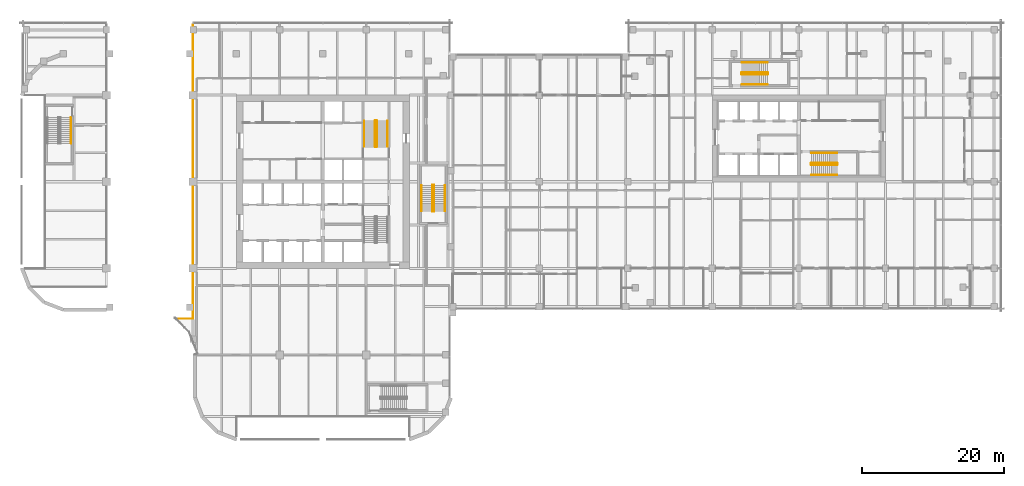
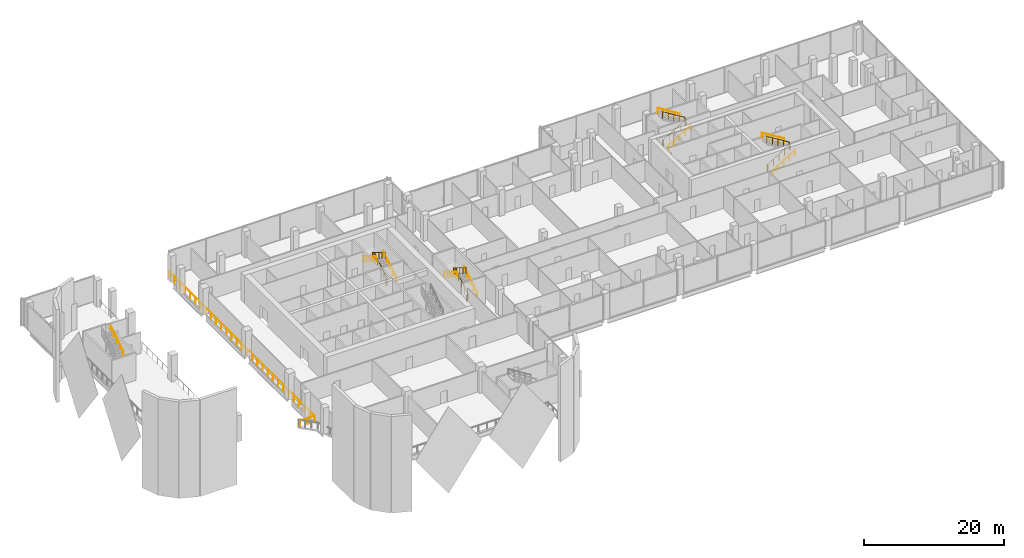
# One storey, part 33 of 33: 14 railings.
"""IFC4 building model written with IfcOpenShell, lengths in metres."""

from ifc_helpers import new_model, si_unit, direction, frame, origin, origin_2d, place, context, subcontext, project, spatial, circle, extrude, material, type_object, element, save


model = new_model("IFC4")

# Units and contexts
model_context = context("Model", 3, precision=1e-05, world=origin(), true_north=direction((0.0, 1.0)))
body_context = subcontext(model_context, "Body", "Model", "MODEL_VIEW")
ifc_project = project(units=[si_unit("LENGTHUNIT", "METRE"), si_unit("AREAUNIT", "SQUARE_METRE"), si_unit("VOLUMEUNIT", "CUBIC_METRE"), si_unit("PLANEANGLEUNIT", "RADIAN"), si_unit("MASSUNIT", "GRAM", prefix="KILO")], contexts=[model_context])

# Site, building, storey
site_placement = place(None, origin())
site = spatial("IfcSite", under=ifc_project, at=site_placement, CompositionType="ELEMENT")
building_placement = place(site_placement, origin())
building = spatial("IfcBuilding", under=site, at=building_placement, Name="Tessera Gate Towers", CompositionType="ELEMENT")
storey_placement = place(building_placement, frame((0.0, 0.0, 7.199951171875)))
storey = spatial("IfcBuildingStorey", under=building, at=storey_placement, Name="L01", CompositionType="ELEMENT", Elevation=7.199951171875)

# Railings
ifc_material_1 = material(Name="Toughened glass with stainless steel handrail", Category="steel")
railing_type_1 = type_object("IfcRailingType", Name="GUARD 1100 GLASS BALUSTRADE", PredefinedType="GUARDRAIL", material=ifc_material_1)
railing_1_placement = place(storey_placement, frame((22.037841796875, 17.300048828125, 0.0)))
element("IfcRailing", 1, at=railing_1_placement, inside=storey, type_object=railing_type_1, Name="Guard", PredefinedType="GUARDRAIL", context=body_context, shape_type="SweptSolid", body=[
    extrude(circle(Radius=0.02490234375, at=origin_2d()), frame((0.0, 0.0, 1.0751953125), z_axis=(1.0, 0.0, 0.0), x_axis=(0.0, 1.0, 0.0)), (0.0, 0.0, 1.0), 2.362060546875),
    extrude(circle(Radius=0.02490234375, at=origin_2d()), frame((2.362060546875, 0.0, 1.0751953125), z_axis=(0.0, 1.0, 0.0), x_axis=(-1.0, 0.0, 0.0)), (0.0, 0.0, 1.0), 41.39990234375),
    extrude(circle(Radius=0.02490234375, at=origin_2d()), origin(), (0.0, 0.0, 1.0), 1.050048828125),
    extrude(circle(Radius=0.02490234375, at=origin_2d()), frame((1.18115234375, 0.0, 0.0)), (0.0, 0.0, 1.0), 1.050048828125),
    extrude(circle(Radius=0.02490234375, at=origin_2d()), frame((2.362060546875, 0.0, 0.0)), (0.0, 0.0, 1.0), 1.050048828125),
    extrude(circle(Radius=0.02490234375, at=origin_2d()), frame((2.362060546875, 1.478515625, 0.0)), (0.0, 0.0, 1.0), 1.050048828125),
    extrude(circle(Radius=0.02490234375, at=origin_2d()), frame((2.362060546875, 2.95703125, 0.0)), (0.0, 0.0, 1.0), 1.050048828125),
    extrude(circle(Radius=0.02490234375, at=origin_2d()), frame((2.362060546875, 4.435791015625, 0.0)), (0.0, 0.0, 1.0), 1.050048828125),
    extrude(circle(Radius=0.02490234375, at=origin_2d()), frame((2.362060546875, 5.914306640625, 0.0)), (0.0, 0.0, 1.0), 1.050048828125),
    extrude(circle(Radius=0.02490234375, at=origin_2d()), frame((2.362060546875, 7.392822265625, 0.0)), (0.0, 0.0, 1.0), 1.050048828125),
    extrude(circle(Radius=0.02490234375, at=origin_2d()), frame((2.362060546875, 8.871337890625, 0.0)), (0.0, 0.0, 1.0), 1.050048828125),
    extrude(circle(Radius=0.02490234375, at=origin_2d()), frame((2.362060546875, 10.35009765625, 0.0)), (0.0, 0.0, 1.0), 1.050048828125),
    extrude(circle(Radius=0.02490234375, at=origin_2d()), frame((2.362060546875, 11.82861328125, 0.0)), (0.0, 0.0, 1.0), 1.050048828125),
    extrude(circle(Radius=0.02490234375, at=origin_2d()), frame((2.362060546875, 13.30712890625, 0.0)), (0.0, 0.0, 1.0), 1.050048828125),
    extrude(circle(Radius=0.02490234375, at=origin_2d()), frame((2.362060546875, 14.78564453125, 0.0)), (0.0, 0.0, 1.0), 1.050048828125),
    extrude(circle(Radius=0.02490234375, at=origin_2d()), frame((2.362060546875, 16.26416015625, 0.0)), (0.0, 0.0, 1.0), 1.050048828125),
    extrude(circle(Radius=0.02490234375, at=origin_2d()), frame((2.362060546875, 17.742919921875, 0.0)), (0.0, 0.0, 1.0), 1.050048828125),
    extrude(circle(Radius=0.02490234375, at=origin_2d()), frame((2.362060546875, 19.221435546875, 0.0)), (0.0, 0.0, 1.0), 1.050048828125),
    extrude(circle(Radius=0.02490234375, at=origin_2d()), frame((2.362060546875, 20.699951171875, 0.0)), (0.0, 0.0, 1.0), 1.050048828125),
    extrude(circle(Radius=0.02490234375, at=origin_2d()), frame((2.362060546875, 22.178466796875, 0.0)), (0.0, 0.0, 1.0), 1.050048828125),
    extrude(circle(Radius=0.02490234375, at=origin_2d()), frame((2.362060546875, 23.656982421875, 0.0)), (0.0, 0.0, 1.0), 1.050048828125),
    extrude(circle(Radius=0.02490234375, at=origin_2d()), frame((2.362060546875, 25.1357421875, 0.0)), (0.0, 0.0, 1.0), 1.050048828125),
    extrude(circle(Radius=0.02490234375, at=origin_2d()), frame((2.362060546875, 26.6142578125, 0.0)), (0.0, 0.0, 1.0), 1.050048828125),
    extrude(circle(Radius=0.02490234375, at=origin_2d()), frame((2.362060546875, 28.0927734375, 0.0)), (0.0, 0.0, 1.0), 1.050048828125),
    extrude(circle(Radius=0.02490234375, at=origin_2d()), frame((2.362060546875, 29.5712890625, 0.0)), (0.0, 0.0, 1.0), 1.050048828125),
    extrude(circle(Radius=0.02490234375, at=origin_2d()), frame((2.362060546875, 31.0498046875, 0.0)), (0.0, 0.0, 1.0), 1.050048828125),
    extrude(circle(Radius=0.02490234375, at=origin_2d()), frame((2.362060546875, 32.528564453125, 0.0)), (0.0, 0.0, 1.0), 1.050048828125),
    extrude(circle(Radius=0.02490234375, at=origin_2d()), frame((2.362060546875, 34.007080078125, 0.0)), (0.0, 0.0, 1.0), 1.050048828125),
    extrude(circle(Radius=0.02490234375, at=origin_2d()), frame((2.362060546875, 35.485595703125, 0.0)), (0.0, 0.0, 1.0), 1.050048828125),
    extrude(circle(Radius=0.02490234375, at=origin_2d()), frame((2.362060546875, 36.964111328125, 0.0)), (0.0, 0.0, 1.0), 1.050048828125),
    extrude(circle(Radius=0.02490234375, at=origin_2d()), frame((2.362060546875, 38.44287109375, 0.0)), (0.0, 0.0, 1.0), 1.050048828125),
    extrude(circle(Radius=0.02490234375, at=origin_2d()), frame((2.362060546875, 39.92138671875, 0.0)), (0.0, 0.0, 1.0), 1.050048828125),
    extrude(circle(Radius=0.02490234375, at=origin_2d()), frame((2.362060546875, 41.39990234375, 0.0)), (0.0, 0.0, 1.0), 1.050048828125),
])
ifc_material_2 = material(Name="Steel 350W", Category="steel")
railing_type_2 = type_object("IfcRailingType", Name="STAIR GUARD 1100", PredefinedType="GUARDRAIL", material=ifc_material_2)
railing_2_placement = place(storey_placement, frame((50.074951171875, 41.47509765625, 0.0)))
element("IfcRailing", 2, at=railing_2_placement, inside=storey, type_object=railing_type_2, Name="L01 ST2 stair guard 1", PredefinedType="GUARDRAIL", context=body_context, shape_type="SweptSolid", body=[
    extrude(circle(Radius=0.02392578125, at=origin_2d()), frame((0.0, 0.0, 1.076171875), z_axis=(1.0, 0.0, 0.0), x_axis=(0.0, 1.0, 0.0)), (0.0, 0.0, 1.0), 0.199951171875),
    extrude(circle(Radius=0.02392578125, at=origin_2d()), frame((0.199951171875, 0.0, 1.076171875), z_axis=(0.270006937388, 0.268689830376, 0.924609122178), x_axis=(-0.705375805398, 0.708833529934, 0.0)), (0.0, 0.0, 1.0), 0.185302734375),
    extrude(circle(Radius=0.02392578125, at=origin_2d()), frame((0.25, 0.0498046875, 1.24755859375), z_axis=(0.0, 0.852840387347, 0.522171689878), x_axis=(-1.0, 0.0, 0.0)), (0.0, 0.0, 1.0), 4.268310546875),
    extrude(circle(Radius=0.02392578125, at=origin_2d()), frame((0.25, 3.68994140625, 3.47607421875), z_axis=(-0.707106781187, 0.707106781187, 0.0), x_axis=(-0.707106781187, -0.707106781187, 0.0)), (0.0, 0.0, 1.0), 0.07080078125),
    extrude(circle(Radius=0.02392578125, at=origin_2d()), frame((0.199951171875, 3.739990234375, 3.47607421875), z_axis=(-1.0, 0.0, 0.0), x_axis=(0.0, -1.0, 0.0)), (0.0, 0.0, 1.0), 0.199951171875),
    extrude(circle(Radius=0.02392578125, at=origin_2d()), frame((0.0, 3.739990234375, 3.47607421875), z_axis=(-0.269911200495, -0.269911200495, 0.924281281696), x_axis=(0.707106781187, -0.707106781187, 0.0)), (0.0, 0.0, 1.0), 0.185546875),
    extrude(circle(Radius=0.02392578125, at=origin_2d()), frame((-0.050048828125, 3.68994140625, 3.6474609375), z_axis=(0.0, -0.852865859571, 0.52213008492), x_axis=(1.0, 0.0, 0.0)), (0.0, 0.0, 1.0), 4.26806640625),
    extrude(circle(Radius=0.02099609375, at=origin_2d()), origin(), (0.0, 0.0, 1.0), 1.052001953125),
    extrude(circle(Radius=0.02099609375, at=origin_2d()), frame((0.199951171875, 0.0, 0.0)), (0.0, 0.0, 1.0), 1.052001953125),
    extrude(circle(Radius=0.02099609375, at=origin_2d()), frame((0.25, 0.0498046875, 0.17138671875)), (0.0, 0.0, 1.0), 1.052001953125),
    extrude(circle(Radius=0.02099609375, at=origin_2d()), frame((0.25, 0.9599609375, 0.728515625)), (0.0, 0.0, 1.0), 1.052001953125),
    extrude(circle(Radius=0.02099609375, at=origin_2d()), frame((0.25, 1.869873046875, 1.28564453125)), (0.0, 0.0, 1.0), 1.052001953125),
    extrude(circle(Radius=0.02099609375, at=origin_2d()), frame((0.25, 2.77978515625, 1.843017578125)), (0.0, 0.0, 1.0), 1.052001953125),
    extrude(circle(Radius=0.02099609375, at=origin_2d()), frame((0.25, 3.68994140625, 2.400146484375)), (0.0, 0.0, 1.0), 1.052001953125),
    extrude(circle(Radius=0.02099609375, at=origin_2d()), frame((0.199951171875, 3.739990234375, 2.400146484375)), (0.0, 0.0, 1.0), 1.052001953125),
    extrude(circle(Radius=0.02099609375, at=origin_2d()), frame((0.0, 3.739990234375, 2.400146484375)), (0.0, 0.0, 1.0), 1.052001953125),
    extrude(circle(Radius=0.02099609375, at=origin_2d()), frame((-0.050048828125, 3.68994140625, 2.571533203125)), (0.0, 0.0, 1.0), 1.052001953125),
    extrude(circle(Radius=0.02099609375, at=origin_2d()), frame((-0.050048828125, 2.77978515625, 3.128662109375)), (0.0, 0.0, 1.0), 1.052001953125),
    extrude(circle(Radius=0.02099609375, at=origin_2d()), frame((-0.050048828125, 1.869873046875, 3.685791015625)), (0.0, 0.0, 1.0), 1.052001953125),
    extrude(circle(Radius=0.02099609375, at=origin_2d()), frame((-0.050048828125, 0.9599609375, 4.242919921875)), (0.0, 0.0, 1.0), 1.052001953125),
    extrude(circle(Radius=0.02099609375, at=origin_2d()), frame((-0.050048828125, 0.0498046875, 4.800048828125)), (0.0, 0.0, 1.0), 1.052001953125),
])
railing_3_placement = place(storey_placement, frame((58.14990234375, 32.39990234375, 0.0)))
element("IfcRailing", 3, at=railing_3_placement, inside=storey, type_object=railing_type_2, Name="L01 ST5 stair guard 1", PredefinedType="GUARDRAIL", context=body_context, shape_type="SweptSolid", body=[
    extrude(circle(Radius=0.02392578125, at=origin_2d()), frame((0.0, 0.0, 1.076171875), z_axis=(1.0, 0.0, 0.0), x_axis=(0.0, 1.0, 0.0)), (0.0, 0.0, 1.0), 0.2001953125),
    extrude(circle(Radius=0.02392578125, at=origin_2d()), frame((0.2001953125, 0.0, 1.076171875), z_axis=(0.268689830376, 0.270006937388, 0.924609122178), x_axis=(-0.708833529934, 0.705375805398, 0.0)), (0.0, 0.0, 1.0), 0.185302734375),
    extrude(circle(Radius=0.02392578125, at=origin_2d()), frame((0.25, 0.050048828125, 1.24755859375), z_axis=(0.0, 0.852840387347, 0.522171689878), x_axis=(-1.0, 0.0, 0.0)), (0.0, 0.0, 1.0), 4.268310546875),
    extrude(circle(Radius=0.02392578125, at=origin_2d()), frame((0.25, 3.690185546875, 3.47607421875), z_axis=(-0.707106781187, 0.707106781187, 0.0), x_axis=(-0.707106781187, -0.707106781187, 0.0)), (0.0, 0.0, 1.0), 0.0703125),
    extrude(circle(Radius=0.02392578125, at=origin_2d()), frame((0.2001953125, 3.739990234375, 3.47607421875), z_axis=(-1.0, 0.0, 0.0), x_axis=(0.0, -1.0, 0.0)), (0.0, 0.0, 1.0), 0.2001953125),
    extrude(circle(Radius=0.02392578125, at=origin_2d()), frame((0.0, 3.739990234375, 3.47607421875), z_axis=(-0.268785201708, -0.268785201708, 0.92493731176), x_axis=(0.707106781187, -0.707106781187, 0.0)), (0.0, 0.0, 1.0), 0.185302734375),
    extrude(circle(Radius=0.02392578125, at=origin_2d()), frame((-0.0498046875, 3.690185546875, 3.6474609375), z_axis=(0.0, -0.852865859571, 0.52213008492), x_axis=(1.0, 0.0, 0.0)), (0.0, 0.0, 1.0), 4.26806640625),
    extrude(circle(Radius=0.02099609375, at=origin_2d()), origin(), (0.0, 0.0, 1.0), 1.052001953125),
    extrude(circle(Radius=0.02099609375, at=origin_2d()), frame((0.2001953125, 0.0, 0.0)), (0.0, 0.0, 1.0), 1.052001953125),
    extrude(circle(Radius=0.02099609375, at=origin_2d()), frame((0.25, 0.050048828125, 0.17138671875)), (0.0, 0.0, 1.0), 1.052001953125),
    extrude(circle(Radius=0.02099609375, at=origin_2d()), frame((0.25, 0.9599609375, 0.728515625)), (0.0, 0.0, 1.0), 1.052001953125),
    extrude(circle(Radius=0.02099609375, at=origin_2d()), frame((0.25, 1.8701171875, 1.28564453125)), (0.0, 0.0, 1.0), 1.052001953125),
    extrude(circle(Radius=0.02099609375, at=origin_2d()), frame((0.25, 2.7802734375, 1.843017578125)), (0.0, 0.0, 1.0), 1.052001953125),
    extrude(circle(Radius=0.02099609375, at=origin_2d()), frame((0.25, 3.690185546875, 2.400146484375)), (0.0, 0.0, 1.0), 1.052001953125),
    extrude(circle(Radius=0.02099609375, at=origin_2d()), frame((0.2001953125, 3.739990234375, 2.400146484375)), (0.0, 0.0, 1.0), 1.052001953125),
    extrude(circle(Radius=0.02099609375, at=origin_2d()), frame((0.0, 3.739990234375, 2.400146484375)), (0.0, 0.0, 1.0), 1.052001953125),
    extrude(circle(Radius=0.02099609375, at=origin_2d()), frame((-0.0498046875, 3.690185546875, 2.571533203125)), (0.0, 0.0, 1.0), 1.052001953125),
    extrude(circle(Radius=0.02099609375, at=origin_2d()), frame((-0.0498046875, 2.7802734375, 3.128662109375)), (0.0, 0.0, 1.0), 1.052001953125),
    extrude(circle(Radius=0.02099609375, at=origin_2d()), frame((-0.0498046875, 1.8701171875, 3.685791015625)), (0.0, 0.0, 1.0), 1.052001953125),
    extrude(circle(Radius=0.02099609375, at=origin_2d()), frame((-0.0498046875, 0.9599609375, 4.242919921875)), (0.0, 0.0, 1.0), 1.052001953125),
    extrude(circle(Radius=0.02099609375, at=origin_2d()), frame((-0.0498046875, 0.050048828125, 4.800048828125)), (0.0, 0.0, 1.0), 1.052001953125),
])
railing_4_placement = place(storey_placement, frame((111.5, 39.199951171875, 0.0)))
element("IfcRailing", 4, at=railing_4_placement, inside=storey, type_object=railing_type_2, Name="L01 ST6 stair guard 1", PredefinedType="GUARDRAIL", context=body_context, shape_type="SweptSolid", body=[
    extrude(circle(Radius=0.02392578125, at=origin_2d()), frame((0.0, 0.0, 1.076171875), z_axis=(0.0, -1.0, 0.0), x_axis=(1.0, 0.0, 0.0)), (0.0, 0.0, 1.0), 0.199951171875),
    extrude(circle(Radius=0.02392578125, at=origin_2d()), frame((0.0, -0.199951171875, 1.076171875), z_axis=(0.269911200495, -0.269911200495, 0.924281281696), x_axis=(0.707106781187, 0.707106781187, 0.0)), (0.0, 0.0, 1.0), 0.185546875),
    extrude(circle(Radius=0.02392578125, at=origin_2d()), frame((0.050048828125, -0.25, 1.24755859375), z_axis=(0.852824790078, 0.0, 0.522197163366), x_axis=(0.0, 1.0, 0.0)), (0.0, 0.0, 1.0), 4.26806640625),
    extrude(circle(Radius=0.02392578125, at=origin_2d()), frame((3.68994140625, -0.25, 3.47607421875), z_axis=(0.707106781187, 0.707106781187, 0.0), x_axis=(-0.707106781187, 0.707106781187, 0.0)), (0.0, 0.0, 1.0), 0.07080078125),
    extrude(circle(Radius=0.02392578125, at=origin_2d()), frame((3.739990234375, -0.199951171875, 3.47607421875), z_axis=(0.0, 1.0, 0.0), x_axis=(-1.0, 0.0, 0.0)), (0.0, 0.0, 1.0), 0.199951171875),
    extrude(circle(Radius=0.02392578125, at=origin_2d()), frame((3.739990234375, 0.0, 3.47607421875), z_axis=(-0.269911200495, 0.269911200495, 0.924281281696), x_axis=(-0.707106781187, -0.707106781187, 0.0)), (0.0, 0.0, 1.0), 0.185546875),
    extrude(circle(Radius=0.02392578125, at=origin_2d()), frame((3.68994140625, 0.050048828125, 3.6474609375), z_axis=(-0.852850264322, 0.0, 0.5221555579), x_axis=(0.0, -1.0, 0.0)), (0.0, 0.0, 1.0), 4.267822265625),
    extrude(circle(Radius=0.02099609375, at=origin_2d()), origin(), (0.0, 0.0, 1.0), 1.052001953125),
    extrude(circle(Radius=0.02099609375, at=origin_2d()), frame((0.0, -0.199951171875, 0.0)), (0.0, 0.0, 1.0), 1.052001953125),
    extrude(circle(Radius=0.02099609375, at=origin_2d()), frame((0.050048828125, -0.25, 0.17138671875)), (0.0, 0.0, 1.0), 1.052001953125),
    extrude(circle(Radius=0.02099609375, at=origin_2d()), frame((0.9599609375, -0.25, 0.728515625)), (0.0, 0.0, 1.0), 1.052001953125),
    extrude(circle(Radius=0.02099609375, at=origin_2d()), frame((1.8701171875, -0.25, 1.28564453125)), (0.0, 0.0, 1.0), 1.052001953125),
    extrude(circle(Radius=0.02099609375, at=origin_2d()), frame((2.780029296875, -0.25, 1.843017578125)), (0.0, 0.0, 1.0), 1.052001953125),
    extrude(circle(Radius=0.02099609375, at=origin_2d()), frame((3.68994140625, -0.25, 2.400146484375)), (0.0, 0.0, 1.0), 1.052001953125),
    extrude(circle(Radius=0.02099609375, at=origin_2d()), frame((3.739990234375, -0.199951171875, 2.400146484375)), (0.0, 0.0, 1.0), 1.052001953125),
    extrude(circle(Radius=0.02099609375, at=origin_2d()), frame((3.739990234375, 0.0, 2.400146484375)), (0.0, 0.0, 1.0), 1.052001953125),
    extrude(circle(Radius=0.02099609375, at=origin_2d()), frame((3.68994140625, 0.050048828125, 2.571533203125)), (0.0, 0.0, 1.0), 1.052001953125),
    extrude(circle(Radius=0.02099609375, at=origin_2d()), frame((2.780029296875, 0.050048828125, 3.128662109375)), (0.0, 0.0, 1.0), 1.052001953125),
    extrude(circle(Radius=0.02099609375, at=origin_2d()), frame((1.8701171875, 0.050048828125, 3.685791015625)), (0.0, 0.0, 1.0), 1.052001953125),
    extrude(circle(Radius=0.02099609375, at=origin_2d()), frame((0.9599609375, 0.050048828125, 4.242919921875)), (0.0, 0.0, 1.0), 1.052001953125),
    extrude(circle(Radius=0.02099609375, at=origin_2d()), frame((0.050048828125, 0.050048828125, 4.800048828125)), (0.0, 0.0, 1.0), 1.052001953125),
])
railing_5_placement = place(storey_placement, frame((101.699951171875, 51.949951171875, 0.0)))
element("IfcRailing", 5, at=railing_5_placement, inside=storey, type_object=railing_type_2, Name="L01 ST7 stair guard 1", PredefinedType="GUARDRAIL", context=body_context, shape_type="SweptSolid", body=[
    extrude(circle(Radius=0.02392578125, at=origin_2d()), frame((0.0, 0.0, 1.076171875), z_axis=(0.0, -1.0, 0.0), x_axis=(1.0, 0.0, 0.0)), (0.0, 0.0, 1.0), 0.199951171875),
    extrude(circle(Radius=0.02392578125, at=origin_2d()), frame((0.0, -0.199951171875, 1.076171875), z_axis=(0.269911200495, -0.269911200495, 0.924281281696), x_axis=(0.707106781187, 0.707106781187, 0.0)), (0.0, 0.0, 1.0), 0.185546875),
    extrude(circle(Radius=0.02392578125, at=origin_2d()), frame((0.050048828125, -0.25, 1.24755859375), z_axis=(0.852824790078, 0.0, 0.522197163366), x_axis=(0.0, 1.0, 0.0)), (0.0, 0.0, 1.0), 4.26806640625),
    extrude(circle(Radius=0.02392578125, at=origin_2d()), frame((3.68994140625, -0.25, 3.47607421875), z_axis=(0.707106781187, 0.707106781187, 0.0), x_axis=(-0.707106781187, 0.707106781187, 0.0)), (0.0, 0.0, 1.0), 0.07080078125),
    extrude(circle(Radius=0.02392578125, at=origin_2d()), frame((3.739990234375, -0.199951171875, 3.47607421875), z_axis=(0.0, 1.0, 0.0), x_axis=(-1.0, 0.0, 0.0)), (0.0, 0.0, 1.0), 0.199951171875),
    extrude(circle(Radius=0.02392578125, at=origin_2d()), frame((3.739990234375, 0.0, 3.47607421875), z_axis=(-0.269911200495, 0.269911200495, 0.924281281696), x_axis=(-0.707106781187, -0.707106781187, 0.0)), (0.0, 0.0, 1.0), 0.185546875),
    extrude(circle(Radius=0.02392578125, at=origin_2d()), frame((3.68994140625, 0.050048828125, 3.6474609375), z_axis=(-0.852850264322, 0.0, 0.5221555579), x_axis=(0.0, -1.0, 0.0)), (0.0, 0.0, 1.0), 4.267822265625),
    extrude(circle(Radius=0.02099609375, at=origin_2d()), origin(), (0.0, 0.0, 1.0), 1.052001953125),
    extrude(circle(Radius=0.02099609375, at=origin_2d()), frame((0.0, -0.199951171875, 0.0)), (0.0, 0.0, 1.0), 1.052001953125),
    extrude(circle(Radius=0.02099609375, at=origin_2d()), frame((0.050048828125, -0.25, 0.17138671875)), (0.0, 0.0, 1.0), 1.052001953125),
    extrude(circle(Radius=0.02099609375, at=origin_2d()), frame((0.9599609375, -0.25, 0.728515625)), (0.0, 0.0, 1.0), 1.052001953125),
    extrude(circle(Radius=0.02099609375, at=origin_2d()), frame((1.8701171875, -0.25, 1.28564453125)), (0.0, 0.0, 1.0), 1.052001953125),
    extrude(circle(Radius=0.02099609375, at=origin_2d()), frame((2.780029296875, -0.25, 1.843017578125)), (0.0, 0.0, 1.0), 1.052001953125),
    extrude(circle(Radius=0.02099609375, at=origin_2d()), frame((3.68994140625, -0.25, 2.400146484375)), (0.0, 0.0, 1.0), 1.052001953125),
    extrude(circle(Radius=0.02099609375, at=origin_2d()), frame((3.739990234375, -0.199951171875, 2.400146484375)), (0.0, 0.0, 1.0), 1.052001953125),
    extrude(circle(Radius=0.02099609375, at=origin_2d()), frame((3.739990234375, 0.0, 2.400146484375)), (0.0, 0.0, 1.0), 1.052001953125),
    extrude(circle(Radius=0.02099609375, at=origin_2d()), frame((3.68994140625, 0.050048828125, 2.571533203125)), (0.0, 0.0, 1.0), 1.052001953125),
    extrude(circle(Radius=0.02099609375, at=origin_2d()), frame((2.780029296875, 0.050048828125, 3.128662109375)), (0.0, 0.0, 1.0), 1.052001953125),
    extrude(circle(Radius=0.02099609375, at=origin_2d()), frame((1.8701171875, 0.050048828125, 3.685791015625)), (0.0, 0.0, 1.0), 1.052001953125),
    extrude(circle(Radius=0.02099609375, at=origin_2d()), frame((0.9599609375, 0.050048828125, 4.242919921875)), (0.0, 0.0, 1.0), 1.052001953125),
    extrude(circle(Radius=0.02099609375, at=origin_2d()), frame((0.050048828125, 0.050048828125, 4.800048828125)), (0.0, 0.0, 1.0), 1.052001953125),
])
ifc_material_3 = material(Name="Steel 350W", Category="steel")
railing_type_3 = type_object("IfcRailingType", Name="STAIR HANDRAIL 900", PredefinedType="HANDRAIL", material=ifc_material_3)
railing_6_placement = place(storey_placement, frame((51.824951171875, 41.52490234375, 0.17138671875)))
element("IfcRailing", 6, at=railing_6_placement, inside=storey, type_object=railing_type_3, Name="L01 ST2 stair handrail 1", PredefinedType="HANDRAIL", context=body_context, shape_type="SweptSolid", body=[
    extrude(circle(Radius=0.02392578125, at=origin_2d()), frame((0.0, 0.0, 0.8759765625), z_axis=(0.0, 0.852840387347, 0.522171689878), x_axis=(-1.0, 0.0, 0.0)), (0.0, 0.0, 1.0), 4.268310546875),
    extrude(circle(Radius=0.02099609375, at=origin_2d()), origin(), (0.0, 0.0, 1.0), 0.851806640625),
    extrude(circle(Radius=0.02099609375, at=origin_2d()), frame((0.0, 0.91015625, 0.55712890625)), (0.0, 0.0, 1.0), 0.851806640625),
    extrude(circle(Radius=0.02099609375, at=origin_2d()), frame((0.0, 1.820068359375, 1.1142578125)), (0.0, 0.0, 1.0), 0.851806640625),
    extrude(circle(Radius=0.02099609375, at=origin_2d()), frame((0.0, 2.72998046875, 1.671630859375)), (0.0, 0.0, 1.0), 0.851806640625),
    extrude(circle(Radius=0.02099609375, at=origin_2d()), frame((0.0, 3.64013671875, 2.228759765625)), (0.0, 0.0, 1.0), 0.851806640625),
])
railing_7_placement = place(storey_placement, frame((48.52490234375, 45.1650390625, 2.571533203125)))
element("IfcRailing", 7, at=railing_7_placement, inside=storey, type_object=railing_type_3, Name="L01 ST2 stair handrail 2", PredefinedType="HANDRAIL", context=body_context, shape_type="SweptSolid", body=[
    extrude(circle(Radius=0.02392578125, at=origin_2d()), frame((0.0, 0.0, 0.8759765625), z_axis=(0.0, -0.852865859571, 0.52213008492), x_axis=(1.0, 0.0, 0.0)), (0.0, 0.0, 1.0), 4.26806640625),
    extrude(circle(Radius=0.02099609375, at=origin_2d()), origin(), (0.0, 0.0, 1.0), 0.851806640625),
    extrude(circle(Radius=0.02099609375, at=origin_2d()), frame((0.0, -0.91015625, 0.55712890625)), (0.0, 0.0, 1.0), 0.851806640625),
    extrude(circle(Radius=0.02099609375, at=origin_2d()), frame((0.0, -1.820068359375, 1.1142578125)), (0.0, 0.0, 1.0), 0.851806640625),
    extrude(circle(Radius=0.02099609375, at=origin_2d()), frame((0.0, -2.72998046875, 1.67138671875)), (0.0, 0.0, 1.0), 0.851806640625),
    extrude(circle(Radius=0.02099609375, at=origin_2d()), frame((0.0, -3.64013671875, 2.228515625)), (0.0, 0.0, 1.0), 0.851806640625),
])
railing_8_placement = place(storey_placement, frame((7.199951171875, 42.010009765625, 2.571533203125)))
element("IfcRailing", 8, at=railing_8_placement, inside=storey, type_object=railing_type_3, Name="L01 ST3 stair handrail 2", PredefinedType="HANDRAIL", context=body_context, shape_type="SweptSolid", body=[
    extrude(circle(Radius=0.02392578125, at=origin_2d()), frame((0.0, 0.0, 0.8759765625), z_axis=(0.0, 0.852850264322, 0.5221555579), x_axis=(-1.0, 0.0, 0.0)), (0.0, 0.0, 1.0), 4.267822265625),
    extrude(circle(Radius=0.02099609375, at=origin_2d()), origin(), (0.0, 0.0, 1.0), 0.851806640625),
    extrude(circle(Radius=0.02099609375, at=origin_2d()), frame((0.0, 0.909912109375, 0.55712890625)), (0.0, 0.0, 1.0), 0.851806640625),
    extrude(circle(Radius=0.02099609375, at=origin_2d()), frame((0.0, 1.81982421875, 1.1142578125)), (0.0, 0.0, 1.0), 0.851806640625),
    extrude(circle(Radius=0.02099609375, at=origin_2d()), frame((0.0, 2.72998046875, 1.67138671875)), (0.0, 0.0, 1.0), 0.851806640625),
    extrude(circle(Radius=0.02099609375, at=origin_2d()), frame((0.0, 3.639892578125, 2.228515625)), (0.0, 0.0, 1.0), 0.851806640625),
])
railing_9_placement = place(storey_placement, frame((59.89990234375, 32.449951171875, 0.17138671875)))
element("IfcRailing", 9, at=railing_9_placement, inside=storey, type_object=railing_type_3, Name="L01 ST5 stair handrail 1", PredefinedType="HANDRAIL", context=body_context, shape_type="SweptSolid", body=[
    extrude(circle(Radius=0.02392578125, at=origin_2d()), frame((0.0, 0.0, 0.8759765625), z_axis=(0.0, 0.852840387347, 0.522171689878), x_axis=(-1.0, 0.0, 0.0)), (0.0, 0.0, 1.0), 4.268310546875),
    extrude(circle(Radius=0.02099609375, at=origin_2d()), origin(), (0.0, 0.0, 1.0), 0.851806640625),
    extrude(circle(Radius=0.02099609375, at=origin_2d()), frame((0.0, 0.91015625, 0.55712890625)), (0.0, 0.0, 1.0), 0.851806640625),
    extrude(circle(Radius=0.02099609375, at=origin_2d()), frame((0.0, 1.820068359375, 1.1142578125)), (0.0, 0.0, 1.0), 0.851806640625),
    extrude(circle(Radius=0.02099609375, at=origin_2d()), frame((0.0, 2.72998046875, 1.671630859375)), (0.0, 0.0, 1.0), 0.851806640625),
    extrude(circle(Radius=0.02099609375, at=origin_2d()), frame((0.0, 3.64013671875, 2.228759765625)), (0.0, 0.0, 1.0), 0.851806640625),
])
railing_10_placement = place(storey_placement, frame((56.60009765625, 36.090087890625, 2.571533203125)))
element("IfcRailing", 10, at=railing_10_placement, inside=storey, type_object=railing_type_3, Name="L01 ST5 stair handrail 2", PredefinedType="HANDRAIL", context=body_context, shape_type="SweptSolid", body=[
    extrude(circle(Radius=0.02392578125, at=origin_2d()), frame((0.0, 0.0, 0.8759765625), z_axis=(0.0, -0.852865859571, 0.52213008492), x_axis=(1.0, 0.0, 0.0)), (0.0, 0.0, 1.0), 4.26806640625),
    extrude(circle(Radius=0.02099609375, at=origin_2d()), origin(), (0.0, 0.0, 1.0), 0.851806640625),
    extrude(circle(Radius=0.02099609375, at=origin_2d()), frame((0.0, -0.91015625, 0.55712890625)), (0.0, 0.0, 1.0), 0.851806640625),
    extrude(circle(Radius=0.02099609375, at=origin_2d()), frame((0.0, -1.820068359375, 1.1142578125)), (0.0, 0.0, 1.0), 0.851806640625),
    extrude(circle(Radius=0.02099609375, at=origin_2d()), frame((0.0, -2.72998046875, 1.67138671875)), (0.0, 0.0, 1.0), 0.851806640625),
    extrude(circle(Radius=0.02099609375, at=origin_2d()), frame((0.0, -3.64013671875, 2.228515625)), (0.0, 0.0, 1.0), 0.851806640625),
])
railing_11_placement = place(storey_placement, frame((111.550048828125, 37.550048828125, 0.17138671875)))
element("IfcRailing", 11, at=railing_11_placement, inside=storey, type_object=railing_type_3, Name="L01 ST6 stair handrail 1", PredefinedType="HANDRAIL", context=body_context, shape_type="SweptSolid", body=[
    extrude(circle(Radius=0.02392578125, at=origin_2d()), frame((0.0, 0.0, 0.8759765625), z_axis=(0.852824790078, 0.0, 0.522197163366), x_axis=(0.0, 1.0, 0.0)), (0.0, 0.0, 1.0), 4.26806640625),
    extrude(circle(Radius=0.02099609375, at=origin_2d()), origin(), (0.0, 0.0, 1.0), 0.851806640625),
    extrude(circle(Radius=0.02099609375, at=origin_2d()), frame((0.909912109375, 0.0, 0.55712890625)), (0.0, 0.0, 1.0), 0.851806640625),
    extrude(circle(Radius=0.02099609375, at=origin_2d()), frame((1.81982421875, 0.0, 1.1142578125)), (0.0, 0.0, 1.0), 0.851806640625),
    extrude(circle(Radius=0.02099609375, at=origin_2d()), frame((2.72998046875, 0.0, 1.671630859375)), (0.0, 0.0, 1.0), 0.851806640625),
    extrude(circle(Radius=0.02099609375, at=origin_2d()), frame((3.639892578125, 0.0, 2.228759765625)), (0.0, 0.0, 1.0), 0.851806640625),
])
railing_12_placement = place(storey_placement, frame((115.18994140625, 40.64990234375, 2.571533203125)))
element("IfcRailing", 12, at=railing_12_placement, inside=storey, type_object=railing_type_3, Name="L01 ST6 stair handrail 2", PredefinedType="HANDRAIL", context=body_context, shape_type="SweptSolid", body=[
    extrude(circle(Radius=0.02392578125, at=origin_2d()), frame((0.0, 0.0, 0.8759765625), z_axis=(-0.852850264322, 0.0, 0.5221555579), x_axis=(0.0, -1.0, 0.0)), (0.0, 0.0, 1.0), 4.267822265625),
    extrude(circle(Radius=0.02099609375, at=origin_2d()), origin(), (0.0, 0.0, 1.0), 0.851806640625),
    extrude(circle(Radius=0.02099609375, at=origin_2d()), frame((-0.909912109375, 0.0, 0.55712890625)), (0.0, 0.0, 1.0), 0.851806640625),
    extrude(circle(Radius=0.02099609375, at=origin_2d()), frame((-1.81982421875, 0.0, 1.1142578125)), (0.0, 0.0, 1.0), 0.851806640625),
    extrude(circle(Radius=0.02099609375, at=origin_2d()), frame((-2.72998046875, 0.0, 1.67138671875)), (0.0, 0.0, 1.0), 0.851806640625),
    extrude(circle(Radius=0.02099609375, at=origin_2d()), frame((-3.639892578125, 0.0, 2.228515625)), (0.0, 0.0, 1.0), 0.851806640625),
])
railing_13_placement = place(storey_placement, frame((101.75, 50.300048828125, 0.17138671875)))
element("IfcRailing", 13, at=railing_13_placement, inside=storey, type_object=railing_type_3, Name="L01 ST7 stair handrail 1", PredefinedType="HANDRAIL", context=body_context, shape_type="SweptSolid", body=[
    extrude(circle(Radius=0.02392578125, at=origin_2d()), frame((0.0, 0.0, 0.8759765625), z_axis=(0.852824790078, 0.0, 0.522197163366), x_axis=(0.0, 1.0, 0.0)), (0.0, 0.0, 1.0), 4.26806640625),
    extrude(circle(Radius=0.02099609375, at=origin_2d()), origin(), (0.0, 0.0, 1.0), 0.851806640625),
    extrude(circle(Radius=0.02099609375, at=origin_2d()), frame((0.909912109375, 0.0, 0.55712890625)), (0.0, 0.0, 1.0), 0.851806640625),
    extrude(circle(Radius=0.02099609375, at=origin_2d()), frame((1.81982421875, 0.0, 1.1142578125)), (0.0, 0.0, 1.0), 0.851806640625),
    extrude(circle(Radius=0.02099609375, at=origin_2d()), frame((2.72998046875, 0.0, 1.671630859375)), (0.0, 0.0, 1.0), 0.851806640625),
    extrude(circle(Radius=0.02099609375, at=origin_2d()), frame((3.639892578125, 0.0, 2.228759765625)), (0.0, 0.0, 1.0), 0.851806640625),
])
railing_14_placement = place(storey_placement, frame((105.389892578125, 53.39990234375, 2.571533203125)))
element("IfcRailing", 14, at=railing_14_placement, inside=storey, type_object=railing_type_3, Name="L01 ST7 stair handrail 2", PredefinedType="HANDRAIL", context=body_context, shape_type="SweptSolid", body=[
    extrude(circle(Radius=0.02392578125, at=origin_2d()), frame((0.0, 0.0, 0.8759765625), z_axis=(-0.852850264322, 0.0, 0.5221555579), x_axis=(0.0, -1.0, 0.0)), (0.0, 0.0, 1.0), 4.267822265625),
    extrude(circle(Radius=0.02099609375, at=origin_2d()), origin(), (0.0, 0.0, 1.0), 0.851806640625),
    extrude(circle(Radius=0.02099609375, at=origin_2d()), frame((-0.909912109375, 0.0, 0.55712890625)), (0.0, 0.0, 1.0), 0.851806640625),
    extrude(circle(Radius=0.02099609375, at=origin_2d()), frame((-1.81982421875, 0.0, 1.1142578125)), (0.0, 0.0, 1.0), 0.851806640625),
    extrude(circle(Radius=0.02099609375, at=origin_2d()), frame((-2.72998046875, 0.0, 1.67138671875)), (0.0, 0.0, 1.0), 0.851806640625),
    extrude(circle(Radius=0.02099609375, at=origin_2d()), frame((-3.639892578125, 0.0, 2.228515625)), (0.0, 0.0, 1.0), 0.851806640625),
])

save(model, "model.ifc")
